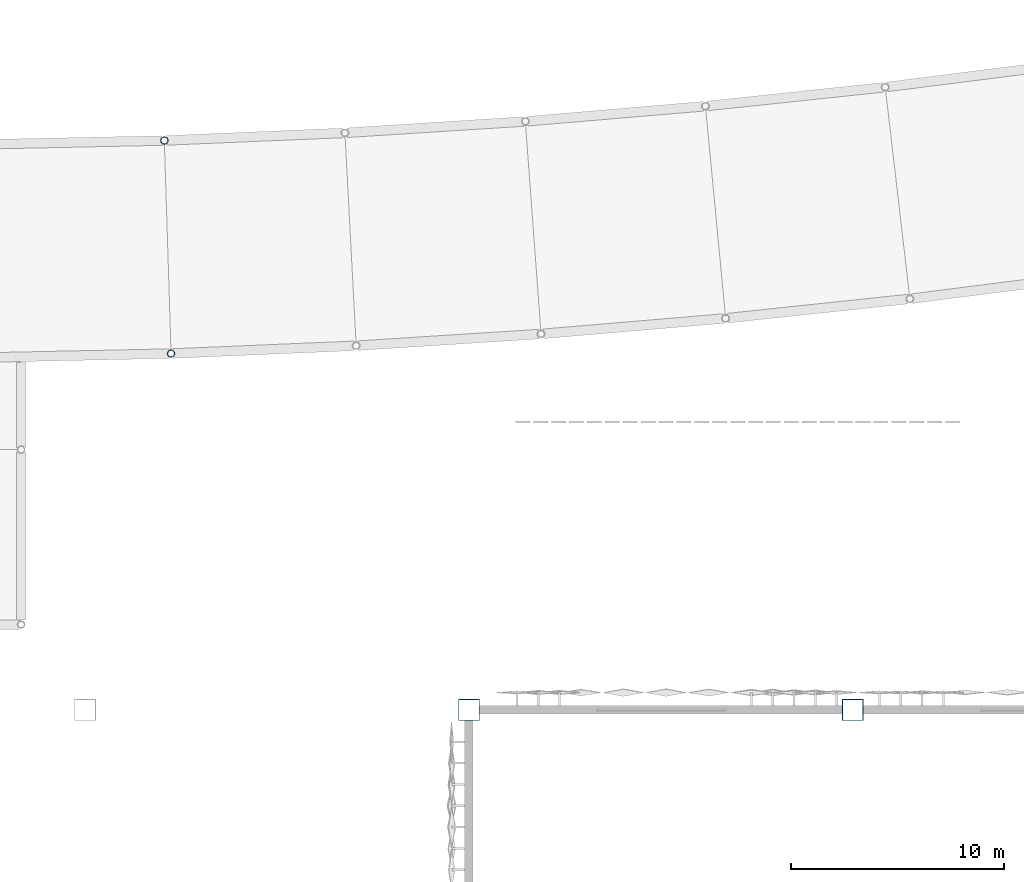
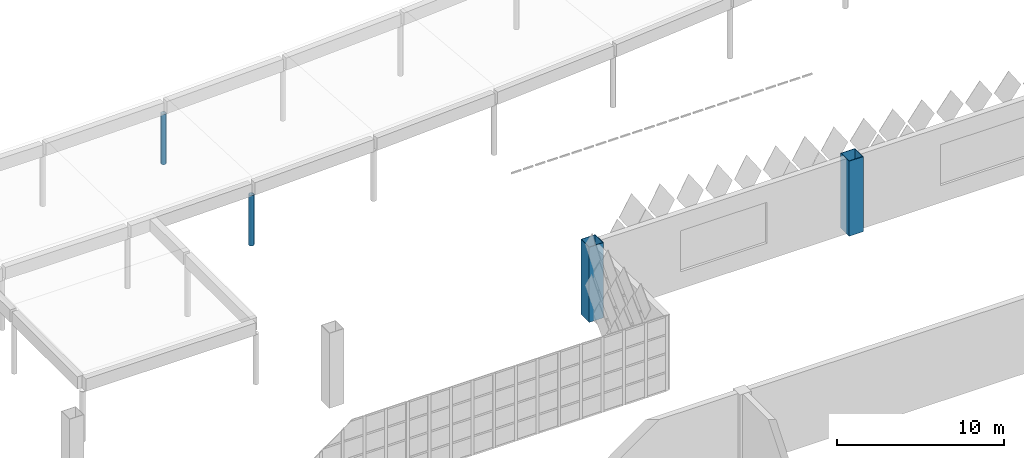
# One storey, part 11 of 185: 4 columns.
"""IFC4 building model written with IfcOpenShell, lengths in metres."""

from ifc_helpers import new_model, si_unit, direction, frame, origin, origin_2d, place, context, subcontext, project, spatial, hollow_rectangle, hollow_circle, extrude, material, material_profile, profile_set, type_object, element, save


model = new_model("IFC4")

# Units and contexts
model_context = context("Model", 3, precision=1e-05, world=origin(), true_north=direction((0.0, 1.0)))
body_context = subcontext(model_context, "Body", "Model", "MODEL_VIEW")
ifc_project = project(units=[si_unit("LENGTHUNIT", "METRE"), si_unit("AREAUNIT", "SQUARE_METRE"), si_unit("VOLUMEUNIT", "CUBIC_METRE"), si_unit("PLANEANGLEUNIT", "RADIAN"), si_unit("MASSUNIT", "GRAM", prefix="KILO")], contexts=[model_context])

# Site, building, storey
site_placement = place(None, origin())
site = spatial("IfcSite", under=ifc_project, at=site_placement, CompositionType="ELEMENT")
building_placement = place(site_placement, origin())
building = spatial("IfcBuilding", under=site, at=building_placement, Name="Opaline Strait Convention Centre", CompositionType="ELEMENT")
storey_placement = place(building_placement, frame((0.0, 0.0, 6.0)))
storey = spatial("IfcBuildingStorey", under=building, at=storey_placement, Name="L01", CompositionType="ELEMENT", Elevation=6.0)

# Columns
ifc_material = material(Name="Steel Q355B", Category="steel")
ifc_material_profile_1 = material_profile(ifc_material, hollow_circle(Radius=0.175537109375, WallThickness=0.01611328125, at=origin_2d()), Name="CHS 351x16")
ifc_profile_set_1 = profile_set([ifc_material_profile_1], Name="Steel Q355B")
column_type_1 = type_object("IfcColumnType", Name="Arcade column CHS 351x16", PredefinedType="COLUMN", material=ifc_profile_set_1)
for number, where, z_axis, x_axis, name in (
    (1, (193.031005859375, 169.70703125, 0.0), (0.0, 0.0, 1.0), (1.0, 0.0, 0.0), "Arcade column SC-I12"),
    (2, (192.71337890625, 179.7021484375, 0.0), (0.0, 0.0, 1.0), (1.0, 0.0, 0.0), "Arcade column SC-O12"),
):
    element("IfcColumn", number, at=place(storey_placement, frame(where, z_axis=z_axis, x_axis=x_axis)), inside=storey, type_object=column_type_1, Name=name, ObjectType="SCC1", PredefinedType="COLUMN", context=body_context, shape_type="SweptSolid", body=[
        extrude(hollow_circle(Radius=0.175537109375, WallThickness=0.01611328125, at=origin_2d()), origin(), (0.0, 0.0, 1.0), 3.68505859375),
    ])
ifc_material_profile_2 = material_profile(ifc_material, hollow_rectangle(XDim=1.0, YDim=1.0, WallThickness=0.031982421875, at=origin_2d()), Name="BOX 1000x1000x32")
ifc_profile_set_2 = profile_set([ifc_material_profile_2], Name="Steel Q355B")
column_type_2 = type_object("IfcColumnType", Name="CFT column BOX 1000x1000x32 C60 fill", PredefinedType="COLUMN", material=ifc_profile_set_2)
for number, where, z_axis, x_axis, name in (
    (3, (207.0, 153.0, 0.0), (0.0, 0.0, 1.0), (1.0, 0.0, 0.0), "Roof column XC-19"),
    (4, (225.0, 153.0, 0.0), (0.0, 0.0, 1.0), (1.0, 0.0, 0.0), "Roof column XC-21"),
):
    element("IfcColumn", number, at=place(storey_placement, frame(where, z_axis=z_axis, x_axis=x_axis)), inside=storey, type_object=column_type_2, Name=name, ObjectType="XC1", PredefinedType="COLUMN", context=body_context, shape_type="SweptSolid", body=[
        extrude(hollow_rectangle(XDim=1.0, YDim=1.0, WallThickness=0.031982421875, at=origin_2d()), origin(), (0.0, 0.0, 1.0), 5.5),
    ])

save(model, "model.ifc")
